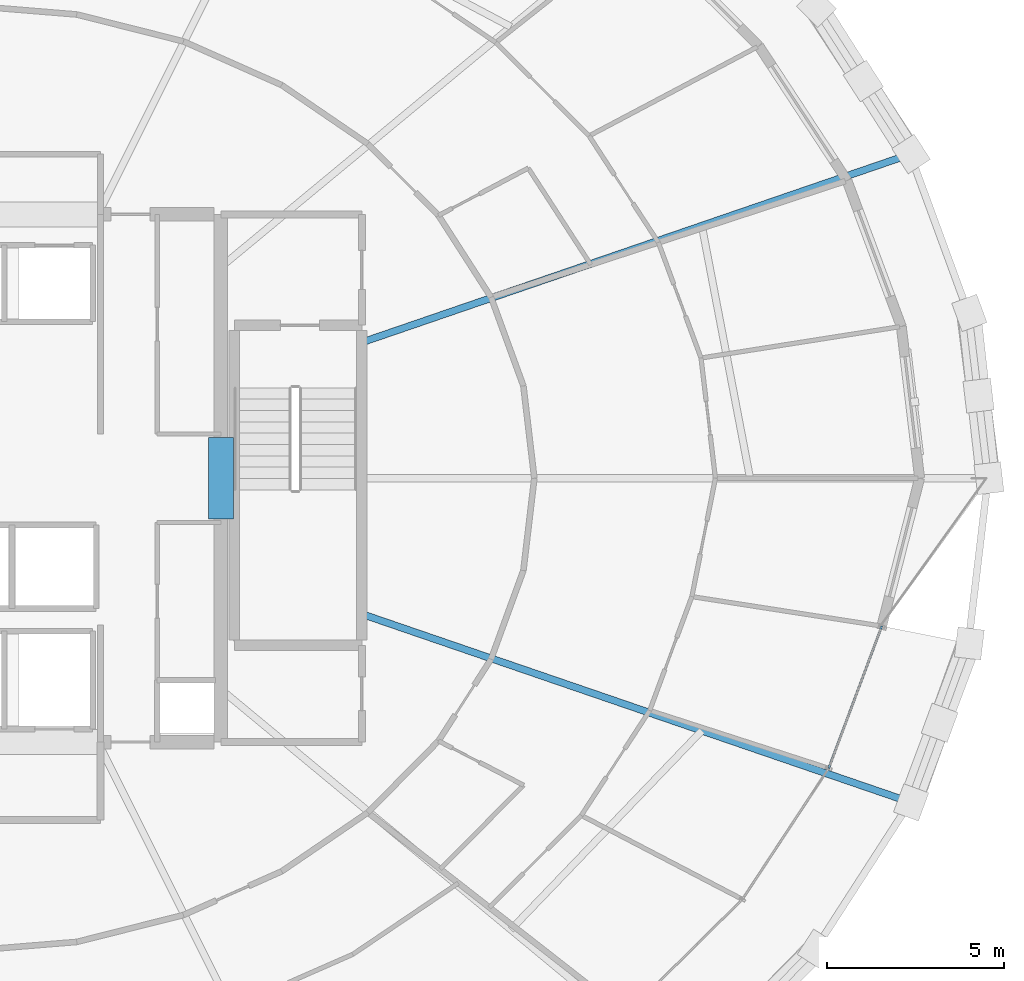
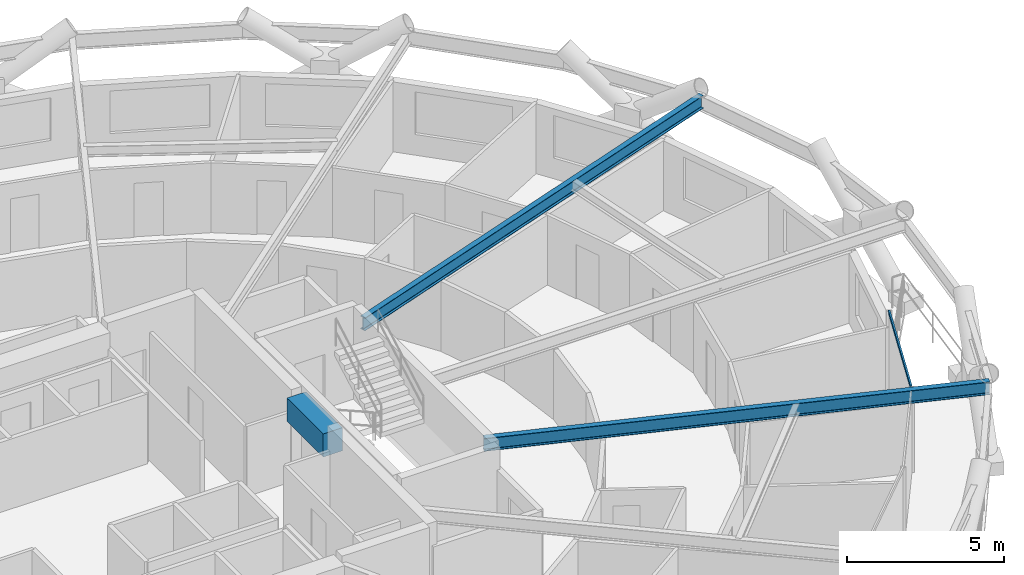
# One storey, part 11 of 23: 3 beams, 1 member, 1 element without a shape of its own.
"""IFC4 building model written with IfcOpenShell, lengths in metres."""

from ifc_helpers import new_model, si_unit, direction, frame, origin, origin_2d, place, context, subcontext, project, spatial, rectangle, hollow_rectangle, i_section, extrude, material, layer, layer_set, material_profile, profile_set, type_object, element, aggregate, save


model = new_model("IFC4")

# Units and contexts
model_context = context("Model", 3, precision=1e-05, world=origin(), true_north=direction((0.0, 1.0)))
body_context = subcontext(model_context, "Body", "Model", "MODEL_VIEW")
ifc_project = project(units=[si_unit("LENGTHUNIT", "METRE"), si_unit("AREAUNIT", "SQUARE_METRE"), si_unit("VOLUMEUNIT", "CUBIC_METRE"), si_unit("PLANEANGLEUNIT", "RADIAN"), si_unit("MASSUNIT", "GRAM", prefix="KILO")], contexts=[model_context])

# Site, building, storey
site_placement = place(None, origin())
site = spatial("IfcSite", under=ifc_project, at=site_placement, CompositionType="ELEMENT")
building_placement = place(site_placement, origin())
building = spatial("IfcBuilding", under=site, at=building_placement, Name="Veldorina Hangang Commons", CompositionType="ELEMENT")
storey_placement = place(building_placement, frame((0.0, 0.0, 95.199951171875)))
storey = spatial("IfcBuildingStorey", under=building, at=storey_placement, Name="L24", CompositionType="ELEMENT", Elevation=95.199951171875)

# Beams
ifc_material_1 = material(Name="Concrete C70/85", Category="concrete")
ifc_material_profile_1 = material_profile(ifc_material_1, rectangle(XDim=0.699951171875, YDim=0.89990234375, at=origin_2d()), Name="RC-CB-700x900")
ifc_profile_set_1 = profile_set([ifc_material_profile_1], Name="Concrete C70/85")
beam_type_1 = type_object("IfcBeamType", Name="BM-CB900", PredefinedType="LINTEL", material=ifc_profile_set_1)
beam_placement = place(storey_placement, frame((39.199951171875, 22.85009765625, 2.89013671875), z_axis=(0.0, 1.0, 0.0), x_axis=(-1.0, 0.0, 0.0)))
element("IfcBeam", 1, at=beam_placement, inside=storey, type_object=beam_type_1, Name="L24 E core coupling lintel beam", PredefinedType="LINTEL", context=body_context, shape_type="SweptSolid", body=[
    extrude(rectangle(XDim=0.699951171875, YDim=0.89990234375, at=origin_2d()), origin(), (0.0, 0.0, 1.0), 2.2998046875),
])
ifc_material_2 = material(Name="Steel SM420-TMC", Category="steel")
ifc_material_profile_2 = material_profile(ifc_material_2, i_section(OverallWidth=0.199951171875, OverallDepth=0.5, WebThickness=0.010009765625, FlangeThickness=0.01611328125, FilletRadius=0.01611328125, at=origin_2d()), Name="H-500x200x10x16")
ifc_profile_set_2 = profile_set([ifc_material_profile_2], Name="Steel SM420-TMC")
beam_type_2 = type_object("IfcBeamType", Name="BM-FG500", PredefinedType="BEAM", material=ifc_profile_set_2)
for number, where, z_axis, x_axis, name in (
    (2, (43.179931640625, 27.835205078125, 3.090087890625), (0.94588644579, 0.324497814586, 0.0), (-0.324497814586, 0.94588644579, 0.0), "L24 radial floor girder 02"),
    (3, (43.179931640625, 20.164794921875, 3.090087890625), (0.94588644579, -0.324497814586, 0.0), (0.324497814586, 0.94588644579, 0.0), "L24 radial floor girder 16"),
):
    element("IfcBeam", number, at=place(storey_placement, frame(where, z_axis=z_axis, x_axis=x_axis)), inside=storey, type_object=beam_type_2, Name=name, PredefinedType="BEAM", context=body_context, shape_type="SweptSolid", body=[
        extrude(i_section(OverallWidth=0.199951171875, OverallDepth=0.5, WebThickness=0.010009765625, FlangeThickness=0.01611328125, FilletRadius=0.01611328125, at=origin_2d()), origin(), (0.0, 0.0, 1.0), 16.369140625),
    ])

# Curtain wall, member
ifc_material_3 = material(Name="Glass Low-E Triple IGU", Category="glass")
ifc_layer = layer(ifc_material_3, 0.179931640625)
ifc_layer_set = layer_set([ifc_layer], Name="Glass Low-E Triple IGU")
curtain_wall_type = type_object("IfcCurtainWallType", Name="CW-SYS-Z1", PredefinedType="NOTDEFINED", material=ifc_layer_set)
curtain_wall_placement = place(storey_placement, origin())
curtain_wall = element("IfcCurtainWall", 4, at=curtain_wall_placement, inside=storey, type_object=curtain_wall_type, Name="L24 unitised curtain wall CW-L24-R2", PredefinedType="NOTDEFINED")
ifc_material_4 = material(Name="Aluminium Anodized AA6063-T6", Category="aluminium")
ifc_material_profile_3 = material_profile(ifc_material_4, hollow_rectangle(XDim=0.06005859375, YDim=0.139892578125, WallThickness=0.00341796875, at=origin_2d()), Name="ALU-RHS-140x60x3.5")
ifc_profile_set_3 = profile_set([ifc_material_profile_3], Name="Aluminium Anodized AA6063-T6")
member_type = type_object("IfcMemberType", Name="CW-TRN-140", PredefinedType="USERDEFINED", material=ifc_profile_set_3)
member_placement = place(storey_placement, frame((56.36181640625, 15.809814453125, 3.260009765625), z_axis=(0.350080764234, 0.936719519661, 0.0), x_axis=(-0.936719519661, 0.350080764234, 0.0)))
member = element("IfcMember", 5, at=member_placement, type_object=member_type, Name="CW-L24-R2 facet 5 transom 1", ObjectType="TRANSOM", PredefinedType="USERDEFINED", context=body_context, shape_type="SweptSolid", body=[
    extrude(hollow_rectangle(XDim=0.06005859375, YDim=0.139892578125, WallThickness=0.00341796875, at=origin_2d()), origin(), (0.0, 0.0, 1.0), 4.2861328125),
])
aggregate(curtain_wall, [member])

save(model, "model.ifc")
